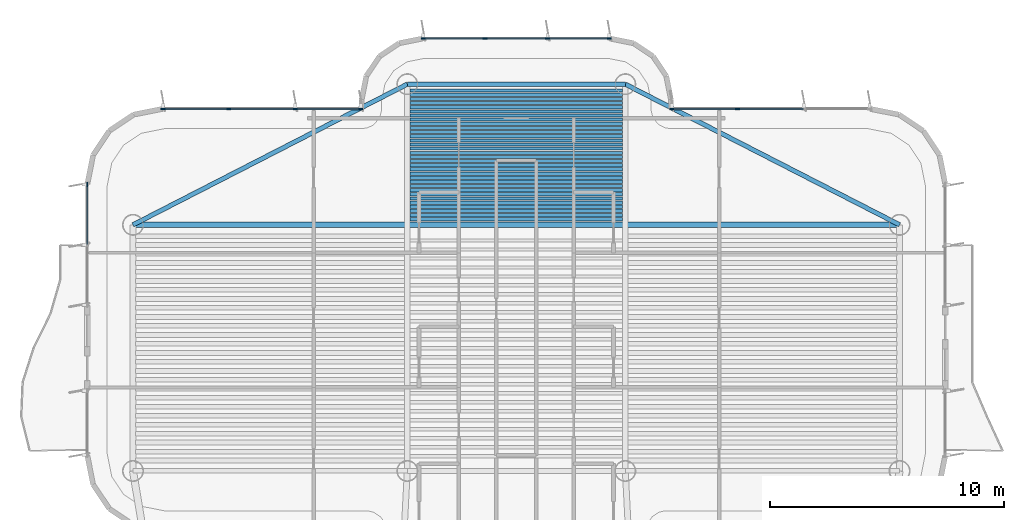
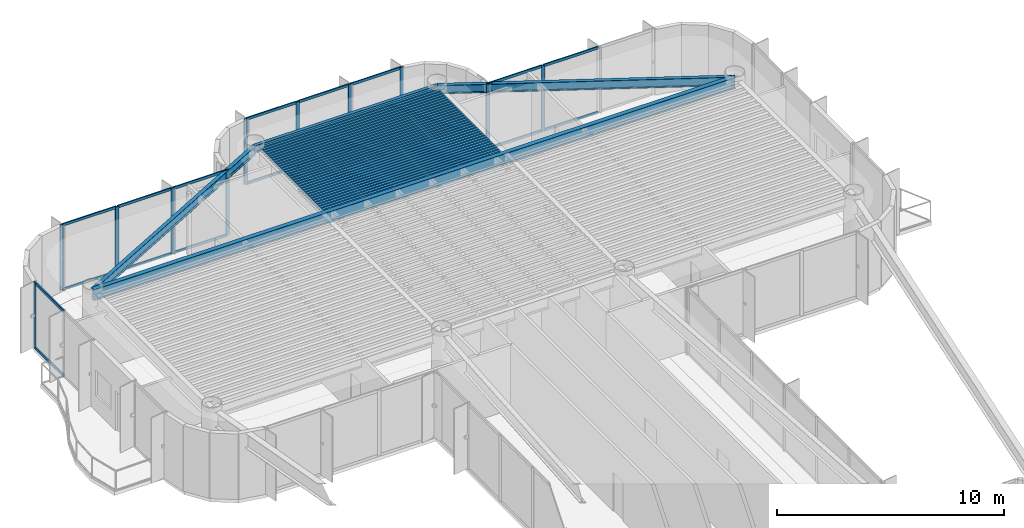
# One storey, part 7 of 16: 36 beams, 29 members, 4 elements without a shape of their own.
"""IFC4 building model written with IfcOpenShell, lengths in metres."""

import ifcopenshell
import ifcopenshell.guid

model = None  # the IFC model being written
_history = None  # IfcOwnerHistory: only IFC2X3 demands one
_inside = {}  # id of a spatial element -> (the spatial element, [elements in it])
_under = {}  # id of a project, library or spatial element -> (it, [spatial elements below it])
_declared = {}  # id of a project -> (the project, [libraries it declares])
_typed = {}  # id of a type object -> (the type object, [elements of that type])
_made_of = {}  # id of a material, layer set ... -> (it, [elements and type objects made of it])


def new_model(schema):
    """Start an empty IFC model of exactly this schema.

    Asked for "IFC4X3", IfcOpenShell would pick the latest addendum, in which some entities
    have other attributes; the version numbers below select the first issue.
    IFC2X3 requires an IfcOwnerHistory on every rooted entity: one is made here for all.
    """
    global model, _history
    if schema == "IFC4X3":
        model = ifcopenshell.file(schema_version=(4, 3, 0, 0))
    else:
        model = ifcopenshell.file(schema=schema)
    _inside.clear()
    _under.clear()
    _declared.clear()
    _typed.clear()
    _made_of.clear()
    _history = None
    if model.schema == "IFC2X3":
        org = make("IfcOrganization", Name="unknown")
        user = make(
            "IfcPersonAndOrganization",
            ThePerson=make("IfcPerson", FamilyName="unknown"),
            TheOrganization=org,
        )
        app = make(
            "IfcApplication",
            ApplicationDeveloper=org,
            Version="unknown",
            ApplicationFullName="unknown",
            ApplicationIdentifier="unknown",
        )
        _history = make(
            "IfcOwnerHistory",
            OwningUser=user,
            OwningApplication=app,
            ChangeAction="ADDED",
            CreationDate=0,
        )
    return model


def make(cls, **values):
    """One entity of the class cls with the attributes given. An attribute that is None is left unset."""
    return model.create_entity(
        cls, **{name: value for name, value in values.items() if value is not None}
    )


def rooted(cls, **values):
    """An entity with a GlobalId (a new one), such as an element, a storey or a relation."""
    return make(cls, GlobalId=ifcopenshell.guid.new(), OwnerHistory=_history, **values)


def si_unit(unit_type, name, prefix=None):
    """IfcSIUnit, for example si_unit("LENGTHUNIT", "METRE", prefix="MILLI")."""
    return make("IfcSIUnit", UnitType=unit_type, Prefix=prefix, Name=name)


def assignment(units):
    """IfcUnitAssignment: the units of a project."""
    return None if units is None else make("IfcUnitAssignment", Units=units)


def point(xyz):
    """IfcCartesianPoint."""
    return None if xyz is None else make("IfcCartesianPoint", Coordinates=xyz)


def direction(xyz):
    """IfcDirection."""
    return None if xyz is None else make("IfcDirection", DirectionRatios=xyz)


def frame(location, z_axis=None, x_axis=None):
    """IfcAxis2Placement3D, a coordinate frame: its origin and axes. An axis left out is left unset."""
    return make(
        "IfcAxis2Placement3D",
        Location=point(location),
        Axis=direction(z_axis),
        RefDirection=direction(x_axis),
    )


def frame_2d(location, x_axis=None):
    """IfcAxis2Placement2D, a coordinate frame in the plane: its origin and x axis."""
    return make(
        "IfcAxis2Placement2D", Location=point(location), RefDirection=direction(x_axis)
    )


def origin():
    """The frame at (0, 0, 0) with its axes left unset."""
    return frame((0.0, 0.0, 0.0))


def origin_2d():
    """The frame at (0, 0) in the plane with its x axis left unset."""
    return frame_2d((0.0, 0.0))


def place(relative_to, where):
    """IfcLocalPlacement: puts the frame where relative to a parent placement (None: the world)."""
    return make(
        "IfcLocalPlacement", PlacementRelTo=relative_to, RelativePlacement=where
    )


def context(
    kind, dimensions, precision=None, world=None, true_north=None, identifier=None
):
    """IfcGeometricRepresentationContext, for example the 3D "Model" context."""
    return make(
        "IfcGeometricRepresentationContext",
        ContextIdentifier=identifier,
        ContextType=kind,
        CoordinateSpaceDimension=dimensions,
        Precision=precision,
        WorldCoordinateSystem=world,
        TrueNorth=true_north,
    )


def subcontext(parent, identifier, kind, view, scale=None):
    """IfcGeometricRepresentationSubContext, for example "Body" below "Model"."""
    return make(
        "IfcGeometricRepresentationSubContext",
        ContextIdentifier=identifier,
        ContextType=kind,
        ParentContext=parent,
        TargetScale=scale,
        TargetView=view,
    )


def project(units=None, contexts=None):
    """IfcProject with its units and contexts."""
    return rooted(
        "IfcProject",
        Name="project",
        RepresentationContexts=contexts,
        UnitsInContext=assignment(units),
    )


def spatial(cls, under=None, at=None, **own):
    """A site, building, storey or space (cls), placed at a placement, below another one or the project."""
    s = rooted(cls, ObjectPlacement=at, **own)
    if under is not None:
        _under.setdefault(under.id(), (under, []))[1].append(s)
    return s


def profile(cls, at=None, kind="AREA", **sizes):
    """A parametric profile (cls). Its sizes go by their IFC names, for example OverallWidth=200.0."""
    return make(cls, ProfileType=kind, Position=at, **sizes)


def rectangle(**sizes):
    """IfcRectangleProfileDef."""
    return profile("IfcRectangleProfileDef", **sizes)


def i_section(**sizes):
    """IfcIShapeProfileDef."""
    return profile("IfcIShapeProfileDef", **sizes)


def extrude(swept, where, along, depth):
    """IfcExtrudedAreaSolid: the profile swept, set in the frame where, extruded along a direction by depth."""
    return make(
        "IfcExtrudedAreaSolid",
        SweptArea=swept,
        Position=where,
        ExtrudedDirection=direction(along),
        Depth=depth,
    )


def shape(context_of_items, identifier, shape_type, items):
    """IfcShapeRepresentation: the items that make up one representation, for example the "Body"."""
    return make(
        "IfcShapeRepresentation",
        ContextOfItems=context_of_items,
        RepresentationIdentifier=identifier,
        RepresentationType=shape_type,
        Items=items,
    )


def source(mapping_origin, context_of_items, identifier, shape_type, items):
    """IfcRepresentationMap: a shape defined once, which mapped items show again and again."""
    return make(
        "IfcRepresentationMap",
        MappingOrigin=mapping_origin,
        MappedRepresentation=shape(context_of_items, identifier, shape_type, items),
    )


def transform(
    local_origin,
    x_axis=None,
    y_axis=None,
    z_axis=None,
    scale=None,
    scale2=None,
    scale3=None,
    uniform=True,
):
    """IfcCartesianTransformationOperator3D, or its non-uniform kind. x_axis, y_axis, z_axis: its Axis1, 2, 3."""
    if uniform:
        return make(
            "IfcCartesianTransformationOperator3D",
            Axis1=direction(x_axis),
            Axis2=direction(y_axis),
            LocalOrigin=point(local_origin),
            Scale=scale,
            Axis3=direction(z_axis),
        )
    return make(
        "IfcCartesianTransformationOperator3DnonUniform",
        Axis1=direction(x_axis),
        Axis2=direction(y_axis),
        LocalOrigin=point(local_origin),
        Scale=scale,
        Axis3=direction(z_axis),
        Scale2=scale2,
        Scale3=scale3,
    )


def mapped(mapping_source, mapping_target):
    """IfcMappedItem: shows the shape of a source again, moved by a transform."""
    return make(
        "IfcMappedItem", MappingSource=mapping_source, MappingTarget=mapping_target
    )


def material(Name=None, Category=None):
    """IfcMaterial."""
    return make("IfcMaterial", Name=Name, Category=Category)


def layer(
    of_material, thickness, ventilated=None, Name=None, Category=None, Priority=None
):
    """IfcMaterialLayer: one layer of a wall or slab, of a material (None: an air gap)."""
    return make(
        "IfcMaterialLayer",
        Material=of_material,
        LayerThickness=thickness,
        IsVentilated=ventilated,
        Name=Name,
        Category=Category,
        Priority=Priority,
    )


def layer_set(layers, Name=None):
    """IfcMaterialLayerSet."""
    return make("IfcMaterialLayerSet", MaterialLayers=layers, LayerSetName=Name)


def material_profile(
    of_material, cross_section, Name=None, Category=None, Priority=None
):
    """IfcMaterialProfile: a cross section and its material."""
    return make(
        "IfcMaterialProfile",
        Name=Name,
        Material=of_material,
        Profile=cross_section,
        Priority=Priority,
        Category=Category,
    )


def profile_set(profiles, Name=None, composite=None):
    """IfcMaterialProfileSet."""
    return make(
        "IfcMaterialProfileSet",
        Name=Name,
        MaterialProfiles=profiles,
        CompositeProfile=composite,
    )


def made_of(thing, what):
    """Note that an element or type object is made of a material, layer set ...; save() writes the relation."""
    if what is not None:
        _made_of.setdefault(what.id(), (what, []))[1].append(thing)
    return thing


def type_object(cls, material=None, **own):
    """A type object (cls), such as IfcWallType, which elements share."""
    return made_of(rooted(cls, **own), material)


def element(
    cls,
    number,
    at=None,
    inside=None,
    cuts=None,
    type_object=None,
    material=None,
    context=None,
    identifier="Body",
    shape_type=None,
    held_by="IfcProductDefinitionShape",
    body=None,
    shapes=None,
    **own,
):
    """One element of the class cls, such as IfcWall. Its Tag is "e" and its number.

    at: its placement. inside: the storey or other place that contains it. cuts: it is an
    opening in that element (IfcRelVoidsElement). A single representation is given by context,
    identifier, shape_type and body (its items); several are given by shapes. held_by: the class
    of the entity that holds the representations. save() writes the other relations.
    """
    e = rooted(cls, Tag="e%d" % number, ObjectPlacement=at, **own)
    if body is not None:
        shapes = [shape(context, identifier, shape_type, body)]
    if shapes is not None:
        e.Representation = make(held_by, Representations=shapes)
    if inside is not None:
        _inside.setdefault(inside.id(), (inside, []))[1].append(e)
    if cuts is not None:
        rooted(
            "IfcRelVoidsElement", RelatingBuildingElement=cuts, RelatedOpeningElement=e
        )
    if type_object is not None:
        _typed.setdefault(type_object.id(), (type_object, []))[1].append(e)
    return made_of(e, material)


def aggregate(whole, parts):
    """IfcRelAggregates: a whole, such as a stair, and the parts it consists of."""
    return rooted("IfcRelAggregates", RelatingObject=whole, RelatedObjects=parts)


def save(model, path):
    """Write the relations noted so far, then the file.

    IfcRelAggregates (storeys below a building ...), IfcRelContainedInSpatialStructure (elements
    in a storey), IfcRelDefinesByType, IfcRelAssociatesMaterial and IfcRelDeclares: one each for
    every whole, place, type object, material and project.
    """
    for whole, parts in _under.values():
        aggregate(whole, parts)
    for where, things in _inside.values():
        rooted(
            "IfcRelContainedInSpatialStructure",
            RelatedElements=things,
            RelatingStructure=where,
        )
    for kind, things in _typed.values():
        rooted("IfcRelDefinesByType", RelatedObjects=things, RelatingType=kind)
    for what, things in _made_of.values():
        rooted("IfcRelAssociatesMaterial", RelatedObjects=things, RelatingMaterial=what)
    for by, libraries in _declared.values():
        rooted("IfcRelDeclares", RelatingContext=by, RelatedDefinitions=libraries)
    model.write(path)


model = new_model("IFC4")

# Units and contexts
model_context = context("Model", 3, precision=1e-05, world=origin(), true_north=direction((0.0, 1.0)))
body_context = subcontext(model_context, "Body", "Model", "MODEL_VIEW")
ifc_project = project(units=[si_unit("LENGTHUNIT", "METRE"), si_unit("AREAUNIT", "SQUARE_METRE"), si_unit("VOLUMEUNIT", "CUBIC_METRE"), si_unit("PLANEANGLEUNIT", "RADIAN"), si_unit("MASSUNIT", "GRAM", prefix="KILO")], contexts=[model_context])

# Site, building, storey
site_placement = place(None, origin())
site = spatial("IfcSite", under=ifc_project, at=site_placement, CompositionType="ELEMENT")
building_placement = place(site_placement, origin())
building = spatial("IfcBuilding", under=site, at=building_placement, Name="Brelvock Crest Care Tower", CompositionType="ELEMENT")
storey_placement = place(building_placement, frame((0.0, 0.0, 234.360107421875)))
storey = spatial("IfcBuildingStorey", under=building, at=storey_placement, Name="L59", CompositionType="ELEMENT", Elevation=234.360107421875)

# Beams
ifc_material_1 = material(Name="Steel Grade 350", Category="steel")
ifc_material_profile_1 = material_profile(ifc_material_1, i_section(OverallWidth=0.177978515625, OverallDepth=0.406005859375, WebThickness=0.0078125, FlangeThickness=0.0126953125, FilletRadius=0.011474609375, at=origin_2d()), Name="410UB59.7")
ifc_profile_set_1 = profile_set([ifc_material_profile_1], Name="Steel Grade 350")
beam_type_1 = type_object("IfcBeamType", Name="BM-SP1", PredefinedType="SPANDREL", material=ifc_profile_set_1)
shared_shape_1 = source(origin(), body_context, "Body", "SweptSolid", [
    extrude(i_section(OverallWidth=0.177978515625, OverallDepth=0.406005859375, WebThickness=0.0078125, FlangeThickness=0.0126953125, FilletRadius=0.011474609375, at=origin_2d()), origin(), (0.0, 0.0, 1.0), 9.2998046875),
])
beam_1_placement = place(storey_placement, frame((31.35009765625, 60.449951171875, 3.326904296875), z_axis=(1.0, 0.0, 0.0), x_axis=(0.0, 1.0, 0.0)))
element("IfcBeam", 1, at=beam_1_placement, inside=storey, type_object=beam_type_1, Name="BM-TWR-L59-08", PredefinedType="SPANDREL", context=body_context, shape_type="MappedRepresentation", body=[
    mapped(shared_shape_1, transform((0.0, 0.0, 0.0), x_axis=(1.0, 0.0, 0.0), y_axis=(0.0, 1.0, 0.0), z_axis=(0.0, 0.0, 1.0), scale=1.0)),
])
ifc_material_profile_2 = material_profile(ifc_material_1, i_section(OverallWidth=0.14599609375, OverallDepth=0.256103515625, WebThickness=0.00634765625, FlangeThickness=0.010986328125, FilletRadius=0.0087890625, at=origin_2d()), Name="250UB37.3")
ifc_profile_set_2 = profile_set([ifc_material_profile_2], Name="Steel Grade 350")
beam_type_2 = type_object("IfcBeamType", Name="BM-J3", PredefinedType="JOIST", material=ifc_profile_set_2)
shared_shape_2 = source(origin(), body_context, "Body", "SweptSolid", [
    extrude(i_section(OverallWidth=0.14599609375, OverallDepth=0.256103515625, WebThickness=0.00634765625, FlangeThickness=0.010986328125, FilletRadius=0.0087890625, at=origin_2d()), origin(), (0.0, 0.0, 1.0), 9.06982421875),
])
for number, where, z_axis, x_axis, name in (
    (2, (31.465087890625, 54.68994140625, 3.40185546875), (1.0, 0.0, 0.0), (0.0, 1.0, 0.0), "BM-JN-L59-1"),
    (3, (31.465087890625, 54.866943359375, 3.40185546875), (1.0, 0.0, 0.0), (0.0, 1.0, 0.0), "BM-JN-L59-2"),
    (4, (31.465087890625, 55.0439453125, 3.40185546875), (1.0, 0.0, 0.0), (0.0, 1.0, 0.0), "BM-JN-L59-3"),
    (5, (31.465087890625, 55.220947265625, 3.40185546875), (1.0, 0.0, 0.0), (0.0, 1.0, 0.0), "BM-JN-L59-4"),
    (6, (31.465087890625, 55.39794921875, 3.40185546875), (1.0, 0.0, 0.0), (0.0, 1.0, 0.0), "BM-JN-L59-5"),
    (7, (31.465087890625, 55.574951171875, 3.40185546875), (1.0, 0.0, 0.0), (0.0, 1.0, 0.0), "BM-JN-L59-6"),
    (8, (31.465087890625, 55.751953125, 3.40185546875), (1.0, 0.0, 0.0), (0.0, 1.0, 0.0), "BM-JN-L59-7"),
    (9, (31.465087890625, 55.928955078125, 3.40185546875), (1.0, 0.0, 0.0), (0.0, 1.0, 0.0), "BM-JN-L59-8"),
    (10, (31.465087890625, 56.10595703125, 3.40185546875), (1.0, 0.0, 0.0), (0.0, 1.0, 0.0), "BM-JN-L59-9"),
    (11, (31.465087890625, 56.282958984375, 3.40185546875), (1.0, 0.0, 0.0), (0.0, 1.0, 0.0), "BM-JN-L59-10"),
    (12, (31.465087890625, 56.4599609375, 3.40185546875), (1.0, 0.0, 0.0), (0.0, 1.0, 0.0), "BM-JN-L59-11"),
    (13, (31.465087890625, 56.636962890625, 3.40185546875), (1.0, 0.0, 0.0), (0.0, 1.0, 0.0), "BM-JN-L59-12"),
    (14, (31.465087890625, 56.81396484375, 3.40185546875), (1.0, 0.0, 0.0), (0.0, 1.0, 0.0), "BM-JN-L59-13"),
):
    element("IfcBeam", number, at=place(storey_placement, frame(where, z_axis=z_axis, x_axis=x_axis)), inside=storey, type_object=beam_type_2, Name=name, PredefinedType="JOIST", context=body_context, shape_type="MappedRepresentation", body=[
        mapped(shared_shape_2, transform((0.0, 0.0, 0.0), x_axis=(1.0, 0.0, 0.0), y_axis=(0.0, 1.0, 0.0), z_axis=(0.0, 0.0, 1.0), scale=1.0)),
    ])
ifc_material_profile_3 = material_profile(ifc_material_1, i_section(OverallWidth=0.134033203125, OverallDepth=0.20703125, WebThickness=0.00634765625, FlangeThickness=0.009521484375, FilletRadius=0.0087890625, at=origin_2d()), Name="200UB29.8")
ifc_profile_set_3 = profile_set([ifc_material_profile_3], Name="Steel Grade 350")
beam_type_3 = type_object("IfcBeamType", Name="BM-J4", PredefinedType="JOIST", material=ifc_profile_set_3)
shared_shape_3 = source(origin(), body_context, "Body", "SweptSolid", [
    extrude(i_section(OverallWidth=0.134033203125, OverallDepth=0.20703125, WebThickness=0.00634765625, FlangeThickness=0.009521484375, FilletRadius=0.0087890625, at=origin_2d()), origin(), (0.0, 0.0, 1.0), 9.06982421875),
])
for number, where, z_axis, x_axis, name in (
    (15, (31.465087890625, 56.990966796875, 3.426513671875), (1.0, 0.0, 0.0), (0.0, 1.0, 0.0), "BM-JN-L59-14"),
    (16, (31.465087890625, 57.16796875, 3.426513671875), (1.0, 0.0, 0.0), (0.0, 1.0, 0.0), "BM-JN-L59-15"),
    (17, (31.465087890625, 57.344970703125, 3.426513671875), (1.0, 0.0, 0.0), (0.0, 1.0, 0.0), "BM-JN-L59-16"),
    (18, (31.465087890625, 57.52197265625, 3.426513671875), (1.0, 0.0, 0.0), (0.0, 1.0, 0.0), "BM-JN-L59-17"),
    (19, (31.465087890625, 57.698974609375, 3.426513671875), (1.0, 0.0, 0.0), (0.0, 1.0, 0.0), "BM-JN-L59-18"),
    (20, (31.465087890625, 57.8759765625, 3.426513671875), (1.0, 0.0, 0.0), (0.0, 1.0, 0.0), "BM-JN-L59-19"),
    (21, (31.465087890625, 58.052978515625, 3.426513671875), (1.0, 0.0, 0.0), (0.0, 1.0, 0.0), "BM-JN-L59-20"),
    (22, (31.465087890625, 58.22998046875, 3.426513671875), (1.0, 0.0, 0.0), (0.0, 1.0, 0.0), "BM-JN-L59-21"),
    (23, (31.465087890625, 58.406982421875, 3.426513671875), (1.0, 0.0, 0.0), (0.0, 1.0, 0.0), "BM-JN-L59-22"),
    (24, (31.465087890625, 58.583984375, 3.426513671875), (1.0, 0.0, 0.0), (0.0, 1.0, 0.0), "BM-JN-L59-23"),
    (25, (31.465087890625, 58.760986328125, 3.426513671875), (1.0, 0.0, 0.0), (0.0, 1.0, 0.0), "BM-JN-L59-24"),
    (26, (31.465087890625, 58.93798828125, 3.426513671875), (1.0, 0.0, 0.0), (0.0, 1.0, 0.0), "BM-JN-L59-25"),
    (27, (31.465087890625, 59.114990234375, 3.426513671875), (1.0, 0.0, 0.0), (0.0, 1.0, 0.0), "BM-JN-L59-26"),
    (28, (31.465087890625, 59.2919921875, 3.426513671875), (1.0, 0.0, 0.0), (0.0, 1.0, 0.0), "BM-JN-L59-27"),
    (29, (31.465087890625, 59.468994140625, 3.426513671875), (1.0, 0.0, 0.0), (0.0, 1.0, 0.0), "BM-JN-L59-28"),
    (30, (31.465087890625, 59.64599609375, 3.426513671875), (1.0, 0.0, 0.0), (0.0, 1.0, 0.0), "BM-JN-L59-29"),
    (31, (31.465087890625, 59.822998046875, 3.426513671875), (1.0, 0.0, 0.0), (0.0, 1.0, 0.0), "BM-JN-L59-30"),
    (32, (31.465087890625, 60.0, 3.426513671875), (1.0, 0.0, 0.0), (0.0, 1.0, 0.0), "BM-JN-L59-31"),
    (33, (31.465087890625, 60.177001953125, 3.426513671875), (1.0, 0.0, 0.0), (0.0, 1.0, 0.0), "BM-JN-L59-32"),
):
    element("IfcBeam", number, at=place(storey_placement, frame(where, z_axis=z_axis, x_axis=x_axis)), inside=storey, type_object=beam_type_3, Name=name, PredefinedType="JOIST", context=body_context, shape_type="MappedRepresentation", body=[
        mapped(shared_shape_3, transform((0.0, 0.0, 0.0), x_axis=(1.0, 0.0, 0.0), y_axis=(0.0, 1.0, 0.0), z_axis=(0.0, 0.0, 1.0), scale=1.0)),
    ])
ifc_material_profile_4 = material_profile(ifc_material_1, i_section(OverallWidth=0.19091796875, OverallDepth=0.4599609375, WebThickness=0.010009765625, FlangeThickness=0.01611328125, FilletRadius=0.011474609375, at=origin_2d()), Name="460UB82.1")
ifc_profile_set_4 = profile_set([ifc_material_profile_4], Name="Steel Grade 350")
beam_type_4 = type_object("IfcBeamType", Name="BM-SP2", PredefinedType="SPANDREL", material=ifc_profile_set_4)
shared_shape_4 = source(origin(), body_context, "Body", "SweptSolid", [
    extrude(i_section(OverallWidth=0.19091796875, OverallDepth=0.4599609375, WebThickness=0.010009765625, FlangeThickness=0.01611328125, FilletRadius=0.011474609375, at=origin_2d()), origin(), (0.0, 0.0, 1.0), 13.14892578125),
])
for number, where, z_axis, x_axis, name in (
    (34, (19.64990234375, 54.449951171875, 3.2998046875), (0.889820555736, 0.456310616346, 0.0), (-0.456310616346, 0.889820555736, 0.0), "BM-TWR-L59-06"),
    (35, (40.64990234375, 60.449951171875, 3.2998046875), (0.889820555736, -0.456310616346, 0.0), (0.456310616346, 0.889820555736, 0.0), "BM-TWR-L59-07"),
):
    element("IfcBeam", number, at=place(storey_placement, frame(where, z_axis=z_axis, x_axis=x_axis)), inside=storey, type_object=beam_type_4, Name=name, PredefinedType="SPANDREL", context=body_context, shape_type="MappedRepresentation", body=[
        mapped(shared_shape_4, transform((0.0, 0.0, 0.0), x_axis=(1.0, 0.0, 0.0), y_axis=(0.0, 1.0, 0.0), z_axis=(0.0, 0.0, 1.0), scale=1.0)),
    ])
ifc_material_profile_5 = material_profile(ifc_material_1, i_section(OverallWidth=0.22900390625, OverallDepth=0.612060546875, WebThickness=0.011962890625, FlangeThickness=0.01953125, FilletRadius=0.013916015625, at=origin_2d()), Name="610UB125")
ifc_profile_set_5 = profile_set([ifc_material_profile_5], Name="Steel Grade 350")
beam_type_5 = type_object("IfcBeamType", Name="BM-G1", PredefinedType="BEAM", material=ifc_profile_set_5)
shared_shape_5 = source(origin(), body_context, "Body", "SweptSolid", [
    extrude(i_section(OverallWidth=0.22900390625, OverallDepth=0.612060546875, WebThickness=0.011962890625, FlangeThickness=0.01953125, FilletRadius=0.013916015625, at=origin_2d()), origin(), (0.0, 0.0, 1.0), 32.7001953125),
])
beam_2_placement = place(storey_placement, frame((19.64990234375, 54.449951171875, 3.223876953125), z_axis=(1.0, 0.0, 0.0), x_axis=(0.0, 1.0, 0.0)))
element("IfcBeam", 36, at=beam_2_placement, inside=storey, type_object=beam_type_5, Name="BM-TWR-L59-11", PredefinedType="BEAM", context=body_context, shape_type="MappedRepresentation", body=[
    mapped(shared_shape_5, transform((0.0, 0.0, 0.0), x_axis=(1.0, 0.0, 0.0), y_axis=(0.0, 1.0, 0.0), z_axis=(0.0, 0.0, 1.0), scale=1.0)),
])

# Curtain wall, member
ifc_material_2 = material(Name="Dark Glass Double Glazed Low-E", Category="glass")
ifc_layer = layer(ifc_material_2, 0.239990234375, Name="CWS-5")
ifc_layer_set = layer_set([ifc_layer], Name="Dark Glass Double Glazed Low-E")
curtain_wall_type = type_object("IfcCurtainWallType", Name="CWS-5", PredefinedType="NOTDEFINED", material=ifc_layer_set)
curtain_wall_1_placement = place(storey_placement, origin())
curtain_wall_1 = element("IfcCurtainWall", 37, at=curtain_wall_1_placement, inside=storey, type_object=curtain_wall_type, Name="L59 Curtain Wall E17B", PredefinedType="NOTDEFINED")
ifc_material_3 = material(Name="Aluminium 6063-T6", Category="aluminium")
ifc_material_profile_6 = material_profile(ifc_material_3, rectangle(XDim=0.06005859375, YDim=0.179931640625, at=origin_2d()), Name="ALU60x180")
ifc_profile_set_6 = profile_set([ifc_material_profile_6], Name="Aluminium 6063-T6")
member_type_1 = type_object("IfcMemberType", Name="CWM-2", PredefinedType="MULLION", material=ifc_profile_set_6)
shared_shape_6 = source(origin(), body_context, "Body", "SweptSolid", [
    extrude(rectangle(XDim=0.06005859375, YDim=0.179931640625, at=origin_2d()), origin(), (0.0, 0.0, 1.0), 3.52978515625),
])
member_1_placement = place(storey_placement, frame((17.699951171875, 56.169921875, 0.0), z_axis=(0.0, 0.0, 1.0), x_axis=(-1.0, 0.0, 0.0)))
member_1 = element("IfcMember", 38, at=member_1_placement, type_object=member_type_1, Name="CW-5 mullion 3", PredefinedType="MULLION", context=body_context, shape_type="MappedRepresentation", body=[
    mapped(shared_shape_6, transform((0.0, 0.0, 0.0), x_axis=(1.0, 0.0, 0.0), y_axis=(0.0, 1.0, 0.0), z_axis=(0.0, 0.0, 1.0), scale=1.0)),
])

# Curtain wall, members
curtain_wall_2_placement = place(storey_placement, origin())
curtain_wall_2 = element("IfcCurtainWall", 39, at=curtain_wall_2_placement, inside=storey, type_object=curtain_wall_type, Name="L59 Curtain Wall E22", PredefinedType="NOTDEFINED")
member_2_placement = place(storey_placement, frame((20.929931640625, 59.39990234375, 0.0), z_axis=(0.0, 0.0, 1.0), x_axis=(0.0, 1.0, 0.0)))
member_2 = element("IfcMember", 40, at=member_2_placement, type_object=member_type_1, Name="CW-5 mullion 1", PredefinedType="MULLION", context=body_context, shape_type="MappedRepresentation", body=[
    mapped(shared_shape_6, transform((0.0, 0.0, 0.0), x_axis=(1.0, 0.0, 0.0), y_axis=(0.0, 1.0, 0.0), z_axis=(0.0, 0.0, 1.0), scale=1.0)),
])
member_3_placement = place(storey_placement, frame((23.7333984375, 59.39990234375, 0.0), z_axis=(0.0, 0.0, 1.0), x_axis=(0.0, 1.0, 0.0)))
member_3 = element("IfcMember", 41, at=member_3_placement, type_object=member_type_1, Name="CW-5 mullion 2", PredefinedType="MULLION", context=body_context, shape_type="MappedRepresentation", body=[
    mapped(shared_shape_6, transform((0.0, 0.0, 0.0), x_axis=(1.0, 0.0, 0.0), y_axis=(0.0, 1.0, 0.0), z_axis=(0.0, 0.0, 1.0), scale=1.0)),
])
member_4_placement = place(storey_placement, frame((26.566650390625, 59.39990234375, 0.0), z_axis=(0.0, 0.0, 1.0), x_axis=(0.0, 1.0, 0.0)))
member_4 = element("IfcMember", 42, at=member_4_placement, type_object=member_type_1, Name="CW-5 mullion 3", PredefinedType="MULLION", context=body_context, shape_type="MappedRepresentation", body=[
    mapped(shared_shape_6, transform((0.0, 0.0, 0.0), x_axis=(1.0, 0.0, 0.0), y_axis=(0.0, 1.0, 0.0), z_axis=(0.0, 0.0, 1.0), scale=1.0)),
])
member_5_placement = place(storey_placement, frame((29.3701171875, 59.39990234375, 0.0), z_axis=(0.0, 0.0, 1.0), x_axis=(0.0, 1.0, 0.0)))
member_5 = element("IfcMember", 43, at=member_5_placement, type_object=member_type_1, Name="CW-5 mullion 4", PredefinedType="MULLION", context=body_context, shape_type="MappedRepresentation", body=[
    mapped(shared_shape_6, transform((0.0, 0.0, 0.0), x_axis=(1.0, 0.0, 0.0), y_axis=(0.0, 1.0, 0.0), z_axis=(0.0, 0.0, 1.0), scale=1.0)),
])

curtain_wall_3_placement = place(storey_placement, origin())
curtain_wall_3 = element("IfcCurtainWall", 44, at=curtain_wall_3_placement, inside=storey, type_object=curtain_wall_type, Name="L59 Curtain Wall E28", PredefinedType="NOTDEFINED")
member_6_placement = place(storey_placement, frame((32.030029296875, 62.39990234375, 0.0), z_axis=(0.0, 0.0, 1.0), x_axis=(0.0, 1.0, 0.0)))
member_6 = element("IfcMember", 45, at=member_6_placement, type_object=member_type_1, Name="CW-5 mullion 1", PredefinedType="MULLION", context=body_context, shape_type="MappedRepresentation", body=[
    mapped(shared_shape_6, transform((0.0, 0.0, 0.0), x_axis=(1.0, 0.0, 0.0), y_axis=(0.0, 1.0, 0.0), z_axis=(0.0, 0.0, 1.0), scale=1.0)),
])
member_7_placement = place(storey_placement, frame((34.666748046875, 62.39990234375, 0.0), z_axis=(0.0, 0.0, 1.0), x_axis=(0.0, 1.0, 0.0)))
member_7 = element("IfcMember", 46, at=member_7_placement, type_object=member_type_1, Name="CW-5 mullion 2", PredefinedType="MULLION", context=body_context, shape_type="MappedRepresentation", body=[
    mapped(shared_shape_6, transform((0.0, 0.0, 0.0), x_axis=(1.0, 0.0, 0.0), y_axis=(0.0, 1.0, 0.0), z_axis=(0.0, 0.0, 1.0), scale=1.0)),
])
member_8_placement = place(storey_placement, frame((37.333251953125, 62.39990234375, 0.0), z_axis=(0.0, 0.0, 1.0), x_axis=(0.0, 1.0, 0.0)))
member_8 = element("IfcMember", 47, at=member_8_placement, type_object=member_type_1, Name="CW-5 mullion 3", PredefinedType="MULLION", context=body_context, shape_type="MappedRepresentation", body=[
    mapped(shared_shape_6, transform((0.0, 0.0, 0.0), x_axis=(1.0, 0.0, 0.0), y_axis=(0.0, 1.0, 0.0), z_axis=(0.0, 0.0, 1.0), scale=1.0)),
])
member_9_placement = place(storey_placement, frame((39.969970703125, 62.39990234375, 0.0), z_axis=(0.0, 0.0, 1.0), x_axis=(0.0, 1.0, 0.0)))
member_9 = element("IfcMember", 48, at=member_9_placement, type_object=member_type_1, Name="CW-5 mullion 4", PredefinedType="MULLION", context=body_context, shape_type="MappedRepresentation", body=[
    mapped(shared_shape_6, transform((0.0, 0.0, 0.0), x_axis=(1.0, 0.0, 0.0), y_axis=(0.0, 1.0, 0.0), z_axis=(0.0, 0.0, 1.0), scale=1.0)),
])

curtain_wall_4_placement = place(storey_placement, origin())
curtain_wall_4 = element("IfcCurtainWall", 49, at=curtain_wall_4_placement, inside=storey, type_object=curtain_wall_type, Name="L59 Curtain Wall E34", PredefinedType="NOTDEFINED")
member_10_placement = place(storey_placement, frame((42.6298828125, 59.39990234375, 0.0), z_axis=(0.0, 0.0, 1.0), x_axis=(0.0, 1.0, 0.0)))
member_10 = element("IfcMember", 50, at=member_10_placement, type_object=member_type_1, Name="CW-5 mullion 1", PredefinedType="MULLION", context=body_context, shape_type="MappedRepresentation", body=[
    mapped(shared_shape_6, transform((0.0, 0.0, 0.0), x_axis=(1.0, 0.0, 0.0), y_axis=(0.0, 1.0, 0.0), z_axis=(0.0, 0.0, 1.0), scale=1.0)),
])
member_11_placement = place(storey_placement, frame((45.433349609375, 59.39990234375, 0.0), z_axis=(0.0, 0.0, 1.0), x_axis=(0.0, 1.0, 0.0)))
member_11 = element("IfcMember", 51, at=member_11_placement, type_object=member_type_1, Name="CW-5 mullion 2", PredefinedType="MULLION", context=body_context, shape_type="MappedRepresentation", body=[
    mapped(shared_shape_6, transform((0.0, 0.0, 0.0), x_axis=(1.0, 0.0, 0.0), y_axis=(0.0, 1.0, 0.0), z_axis=(0.0, 0.0, 1.0), scale=1.0)),
])

# Member
ifc_material_profile_7 = material_profile(ifc_material_3, rectangle(XDim=0.06005859375, YDim=0.139892578125, at=origin_2d()), Name="ALU60x140")
ifc_profile_set_7 = profile_set([ifc_material_profile_7], Name="Aluminium 6063-T6")
member_type_2 = type_object("IfcMemberType", Name="CWT-2", PredefinedType="USERDEFINED", material=ifc_profile_set_7)
shared_shape_7 = source(origin(), body_context, "Body", "SweptSolid", [
    extrude(rectangle(XDim=0.06005859375, YDim=0.139892578125, at=origin_2d()), origin(), (0.0, 0.0, 1.0), 2.57666015625),
])
member_12_placement = place(storey_placement, frame((32.06005859375, 62.39990234375, 0.02978515625), z_axis=(1.0, 0.0, 0.0), x_axis=(0.0, 1.0, 0.0)))
member_12 = element("IfcMember", 52, at=member_12_placement, type_object=member_type_2, Name="CW-5 transom 1.1", ObjectType="TRANSOM", PredefinedType="USERDEFINED", context=body_context, shape_type="MappedRepresentation", body=[
    mapped(shared_shape_7, transform((0.0, 0.0, 0.0), x_axis=(1.0, 0.0, 0.0), y_axis=(0.0, 1.0, 0.0), z_axis=(0.0, 0.0, 1.0), scale=1.0)),
])

member_13_placement = place(storey_placement, frame((32.06005859375, 62.39990234375, 3.5), z_axis=(1.0, 0.0, 0.0), x_axis=(0.0, 1.0, 0.0)))
member_13 = element("IfcMember", 53, at=member_13_placement, type_object=member_type_2, Name="CW-5 transom 1.2", ObjectType="TRANSOM", PredefinedType="USERDEFINED", context=body_context, shape_type="MappedRepresentation", body=[
    mapped(shared_shape_7, transform((0.0, 0.0, 0.0), x_axis=(1.0, 0.0, 0.0), y_axis=(0.0, 1.0, 0.0), z_axis=(0.0, 0.0, 1.0), scale=1.0)),
])

member_14_placement = place(storey_placement, frame((37.36328125, 62.39990234375, 0.02978515625), z_axis=(1.0, 0.0, 0.0), x_axis=(0.0, 1.0, 0.0)))
member_14 = element("IfcMember", 54, at=member_14_placement, type_object=member_type_2, Name="CW-5 transom 3.1", ObjectType="TRANSOM", PredefinedType="USERDEFINED", context=body_context, shape_type="MappedRepresentation", body=[
    mapped(shared_shape_7, transform((0.0, 0.0, 0.0), x_axis=(1.0, 0.0, 0.0), y_axis=(0.0, 1.0, 0.0), z_axis=(0.0, 0.0, 1.0), scale=1.0)),
])

member_15_placement = place(storey_placement, frame((37.36328125, 62.39990234375, 3.5), z_axis=(1.0, 0.0, 0.0), x_axis=(0.0, 1.0, 0.0)))
member_15 = element("IfcMember", 55, at=member_15_placement, type_object=member_type_2, Name="CW-5 transom 3.2", ObjectType="TRANSOM", PredefinedType="USERDEFINED", context=body_context, shape_type="MappedRepresentation", body=[
    mapped(shared_shape_7, transform((0.0, 0.0, 0.0), x_axis=(1.0, 0.0, 0.0), y_axis=(0.0, 1.0, 0.0), z_axis=(0.0, 0.0, 1.0), scale=1.0)),
])

shared_shape_8 = source(origin(), body_context, "Body", "SweptSolid", [
    extrude(rectangle(XDim=0.06005859375, YDim=0.139892578125, at=origin_2d()), origin(), (0.0, 0.0, 1.0), 2.510009765625),
])
member_16_placement = place(storey_placement, frame((17.699951171875, 53.6298828125, 0.02978515625), z_axis=(0.0, 1.0, 0.0), x_axis=(-1.0, 0.0, 0.0)))
member_16 = element("IfcMember", 56, at=member_16_placement, type_object=member_type_2, Name="CW-5 transom 2.1", ObjectType="TRANSOM", PredefinedType="USERDEFINED", context=body_context, shape_type="MappedRepresentation", body=[
    mapped(shared_shape_8, transform((0.0, 0.0, 0.0), x_axis=(1.0, 0.0, 0.0), y_axis=(0.0, 1.0, 0.0), z_axis=(0.0, 0.0, 1.0), scale=1.0)),
])

member_17_placement = place(storey_placement, frame((17.699951171875, 53.6298828125, 3.5), z_axis=(0.0, 1.0, 0.0), x_axis=(-1.0, 0.0, 0.0)))
member_17 = element("IfcMember", 57, at=member_17_placement, type_object=member_type_2, Name="CW-5 transom 2.2", ObjectType="TRANSOM", PredefinedType="USERDEFINED", context=body_context, shape_type="MappedRepresentation", body=[
    mapped(shared_shape_8, transform((0.0, 0.0, 0.0), x_axis=(1.0, 0.0, 0.0), y_axis=(0.0, 1.0, 0.0), z_axis=(0.0, 0.0, 1.0), scale=1.0)),
])

aggregate(curtain_wall_1, [member_1, member_16, member_17])

shared_shape_9 = source(origin(), body_context, "Body", "SweptSolid", [
    extrude(rectangle(XDim=0.06005859375, YDim=0.139892578125, at=origin_2d()), origin(), (0.0, 0.0, 1.0), 2.743408203125),
])
member_18_placement = place(storey_placement, frame((20.9599609375, 59.39990234375, 0.02978515625), z_axis=(1.0, 0.0, 0.0), x_axis=(0.0, 1.0, 0.0)))
member_18 = element("IfcMember", 58, at=member_18_placement, type_object=member_type_2, Name="CW-5 transom 1.1", ObjectType="TRANSOM", PredefinedType="USERDEFINED", context=body_context, shape_type="MappedRepresentation", body=[
    mapped(shared_shape_9, transform((0.0, 0.0, 0.0), x_axis=(1.0, 0.0, 0.0), y_axis=(0.0, 1.0, 0.0), z_axis=(0.0, 0.0, 1.0), scale=1.0)),
])

member_19_placement = place(storey_placement, frame((20.9599609375, 59.39990234375, 3.5), z_axis=(1.0, 0.0, 0.0), x_axis=(0.0, 1.0, 0.0)))
member_19 = element("IfcMember", 59, at=member_19_placement, type_object=member_type_2, Name="CW-5 transom 1.2", ObjectType="TRANSOM", PredefinedType="USERDEFINED", context=body_context, shape_type="MappedRepresentation", body=[
    mapped(shared_shape_9, transform((0.0, 0.0, 0.0), x_axis=(1.0, 0.0, 0.0), y_axis=(0.0, 1.0, 0.0), z_axis=(0.0, 0.0, 1.0), scale=1.0)),
])

member_20_placement = place(storey_placement, frame((26.5966796875, 59.39990234375, 0.02978515625), z_axis=(1.0, 0.0, 0.0), x_axis=(0.0, 1.0, 0.0)))
member_20 = element("IfcMember", 60, at=member_20_placement, type_object=member_type_2, Name="CW-5 transom 3.1", ObjectType="TRANSOM", PredefinedType="USERDEFINED", context=body_context, shape_type="MappedRepresentation", body=[
    mapped(shared_shape_9, transform((0.0, 0.0, 0.0), x_axis=(1.0, 0.0, 0.0), y_axis=(0.0, 1.0, 0.0), z_axis=(0.0, 0.0, 1.0), scale=1.0)),
])

member_21_placement = place(storey_placement, frame((26.5966796875, 59.39990234375, 3.5), z_axis=(1.0, 0.0, 0.0), x_axis=(0.0, 1.0, 0.0)))
member_21 = element("IfcMember", 61, at=member_21_placement, type_object=member_type_2, Name="CW-5 transom 3.2", ObjectType="TRANSOM", PredefinedType="USERDEFINED", context=body_context, shape_type="MappedRepresentation", body=[
    mapped(shared_shape_9, transform((0.0, 0.0, 0.0), x_axis=(1.0, 0.0, 0.0), y_axis=(0.0, 1.0, 0.0), z_axis=(0.0, 0.0, 1.0), scale=1.0)),
])

member_22_placement = place(storey_placement, frame((42.659912109375, 59.39990234375, 0.02978515625), z_axis=(1.0, 0.0, 0.0), x_axis=(0.0, 1.0, 0.0)))
member_22 = element("IfcMember", 62, at=member_22_placement, type_object=member_type_2, Name="CW-5 transom 1.1", ObjectType="TRANSOM", PredefinedType="USERDEFINED", context=body_context, shape_type="MappedRepresentation", body=[
    mapped(shared_shape_9, transform((0.0, 0.0, 0.0), x_axis=(1.0, 0.0, 0.0), y_axis=(0.0, 1.0, 0.0), z_axis=(0.0, 0.0, 1.0), scale=1.0)),
])

member_23_placement = place(storey_placement, frame((42.659912109375, 59.39990234375, 3.5), z_axis=(1.0, 0.0, 0.0), x_axis=(0.0, 1.0, 0.0)))
member_23 = element("IfcMember", 63, at=member_23_placement, type_object=member_type_2, Name="CW-5 transom 1.2", ObjectType="TRANSOM", PredefinedType="USERDEFINED", context=body_context, shape_type="MappedRepresentation", body=[
    mapped(shared_shape_9, transform((0.0, 0.0, 0.0), x_axis=(1.0, 0.0, 0.0), y_axis=(0.0, 1.0, 0.0), z_axis=(0.0, 0.0, 1.0), scale=1.0)),
])

shared_shape_10 = source(origin(), body_context, "Body", "SweptSolid", [
    extrude(rectangle(XDim=0.06005859375, YDim=0.139892578125, at=origin_2d()), origin(), (0.0, 0.0, 1.0), 2.773193359375),
])
member_24_placement = place(storey_placement, frame((23.763427734375, 59.39990234375, 0.02978515625), z_axis=(1.0, 0.0, 0.0), x_axis=(0.0, 1.0, 0.0)))
member_24 = element("IfcMember", 64, at=member_24_placement, type_object=member_type_2, Name="CW-5 transom 2.1", ObjectType="TRANSOM", PredefinedType="USERDEFINED", context=body_context, shape_type="MappedRepresentation", body=[
    mapped(shared_shape_10, transform((0.0, 0.0, 0.0), x_axis=(1.0, 0.0, 0.0), y_axis=(0.0, 1.0, 0.0), z_axis=(0.0, 0.0, 1.0), scale=1.0)),
])

member_25_placement = place(storey_placement, frame((23.763427734375, 59.39990234375, 3.5), z_axis=(1.0, 0.0, 0.0), x_axis=(0.0, 1.0, 0.0)))
member_25 = element("IfcMember", 65, at=member_25_placement, type_object=member_type_2, Name="CW-5 transom 2.2", ObjectType="TRANSOM", PredefinedType="USERDEFINED", context=body_context, shape_type="MappedRepresentation", body=[
    mapped(shared_shape_10, transform((0.0, 0.0, 0.0), x_axis=(1.0, 0.0, 0.0), y_axis=(0.0, 1.0, 0.0), z_axis=(0.0, 0.0, 1.0), scale=1.0)),
])

aggregate(curtain_wall_2, [member_2, member_3, member_4, member_5, member_18, member_19, member_24, member_25, member_20, member_21])

member_26_placement = place(storey_placement, frame((45.46337890625, 59.39990234375, 0.02978515625), z_axis=(1.0, 0.0, 0.0), x_axis=(0.0, 1.0, 0.0)))
member_26 = element("IfcMember", 66, at=member_26_placement, type_object=member_type_2, Name="CW-5 transom 2.1", ObjectType="TRANSOM", PredefinedType="USERDEFINED", context=body_context, shape_type="MappedRepresentation", body=[
    mapped(shared_shape_10, transform((0.0, 0.0, 0.0), x_axis=(1.0, 0.0, 0.0), y_axis=(0.0, 1.0, 0.0), z_axis=(0.0, 0.0, 1.0), scale=1.0)),
])

member_27_placement = place(storey_placement, frame((45.46337890625, 59.39990234375, 3.5), z_axis=(1.0, 0.0, 0.0), x_axis=(0.0, 1.0, 0.0)))
member_27 = element("IfcMember", 67, at=member_27_placement, type_object=member_type_2, Name="CW-5 transom 2.2", ObjectType="TRANSOM", PredefinedType="USERDEFINED", context=body_context, shape_type="MappedRepresentation", body=[
    mapped(shared_shape_10, transform((0.0, 0.0, 0.0), x_axis=(1.0, 0.0, 0.0), y_axis=(0.0, 1.0, 0.0), z_axis=(0.0, 0.0, 1.0), scale=1.0)),
])

aggregate(curtain_wall_4, [member_10, member_11, member_22, member_23, member_26, member_27])

shared_shape_11 = source(origin(), body_context, "Body", "SweptSolid", [
    extrude(rectangle(XDim=0.06005859375, YDim=0.139892578125, at=origin_2d()), origin(), (0.0, 0.0, 1.0), 2.6064453125),
])
member_28_placement = place(storey_placement, frame((34.69677734375, 62.39990234375, 0.02978515625), z_axis=(1.0, 0.0, 0.0), x_axis=(0.0, 1.0, 0.0)))
member_28 = element("IfcMember", 68, at=member_28_placement, type_object=member_type_2, Name="CW-5 transom 2.1", ObjectType="TRANSOM", PredefinedType="USERDEFINED", context=body_context, shape_type="MappedRepresentation", body=[
    mapped(shared_shape_11, transform((0.0, 0.0, 0.0), x_axis=(1.0, 0.0, 0.0), y_axis=(0.0, 1.0, 0.0), z_axis=(0.0, 0.0, 1.0), scale=1.0)),
])

member_29_placement = place(storey_placement, frame((34.69677734375, 62.39990234375, 3.5), z_axis=(1.0, 0.0, 0.0), x_axis=(0.0, 1.0, 0.0)))
member_29 = element("IfcMember", 69, at=member_29_placement, type_object=member_type_2, Name="CW-5 transom 2.2", ObjectType="TRANSOM", PredefinedType="USERDEFINED", context=body_context, shape_type="MappedRepresentation", body=[
    mapped(shared_shape_11, transform((0.0, 0.0, 0.0), x_axis=(1.0, 0.0, 0.0), y_axis=(0.0, 1.0, 0.0), z_axis=(0.0, 0.0, 1.0), scale=1.0)),
])

aggregate(curtain_wall_3, [member_6, member_7, member_8, member_9, member_12, member_13, member_28, member_29, member_14, member_15])

save(model, "model.ifc")
